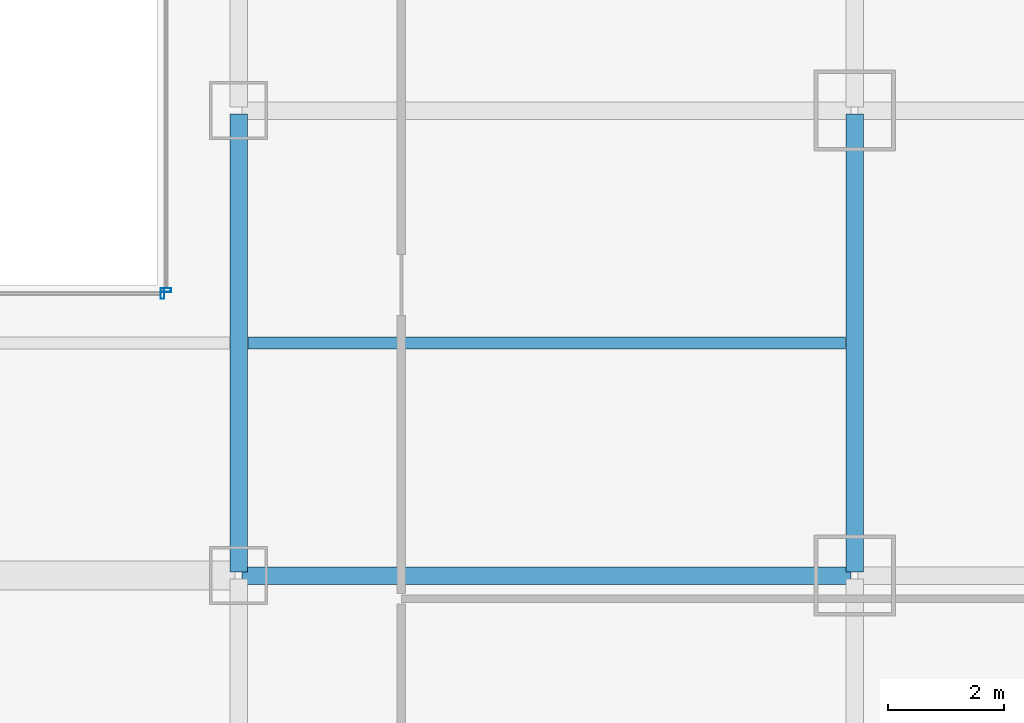
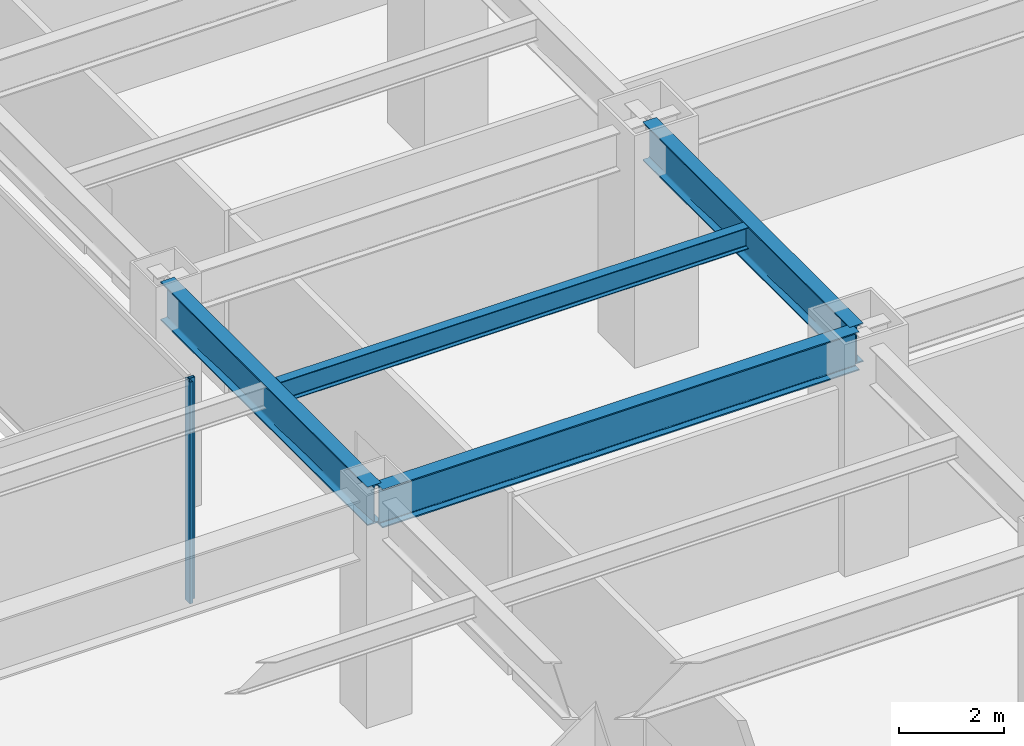
# One storey, part 19 of 53: 4 beams, 2 members, 2 elements without a shape of their own.
"""IFC4 building model written with IfcOpenShell, lengths in metres."""

from ifc_helpers import new_model, si_unit, direction, frame, origin, origin_2d, place, context, subcontext, project, spatial, hollow_rectangle, i_section, extrude, material, material_profile, profile_set, type_object, element, aggregate, save


model = new_model("IFC4")

# Units and contexts
model_context = context("Model", 3, precision=1e-05, world=origin(), true_north=direction((0.0, 1.0)))
body_context = subcontext(model_context, "Body", "Model", "MODEL_VIEW")
ifc_project = project(units=[si_unit("LENGTHUNIT", "METRE"), si_unit("AREAUNIT", "SQUARE_METRE"), si_unit("VOLUMEUNIT", "CUBIC_METRE"), si_unit("PLANEANGLEUNIT", "RADIAN"), si_unit("MASSUNIT", "GRAM", prefix="KILO")], contexts=[model_context])

# Site, building, storey
site_placement = place(None, origin())
site = spatial("IfcSite", under=ifc_project, at=site_placement, CompositionType="ELEMENT")
building_placement = place(site_placement, origin())
building = spatial("IfcBuilding", under=site, at=building_placement, Name="Saevonmaru Cultural Tower", CompositionType="ELEMENT")
storey_placement = place(building_placement, frame((0.0, 0.0, 22.199951171875)))
storey = spatial("IfcBuildingStorey", under=building, at=storey_placement, Name="L04", CompositionType="ELEMENT", Elevation=22.199951171875)

# Beams
ifc_material_1 = material(Name="Steel SM420", Category="steel")
ifc_material_profile_1 = material_profile(ifc_material_1, i_section(OverallWidth=0.300048828125, OverallDepth=0.89990234375, WebThickness=0.01611328125, FlangeThickness=0.028076171875, FilletRadius=0.028076171875, at=origin_2d()), Name="H-900x300x16x28")
ifc_profile_set_1 = profile_set([ifc_material_profile_1], Name="Steel SM420")
beam_type_1 = type_object("IfcBeamType", Name="BM-G-H900", PredefinedType="BEAM", material=ifc_profile_set_1)
for number, where, z_axis, x_axis, name in (
    (1, (37.199951171875, 16.06005859375, 4.699951171875), (0.0, 1.0, 0.0), (-1.0, 0.0, 0.0), "L04 Podium Girder NS3-3"),
    (2, (47.800048828125, 16.06005859375, 4.699951171875), (0.0, 1.0, 0.0), (-1.0, 0.0, 0.0), "L04 Podium Girder NS4-3"),
):
    element("IfcBeam", number, at=place(storey_placement, frame(where, z_axis=z_axis, x_axis=x_axis)), inside=storey, type_object=beam_type_1, Name=name, PredefinedType="BEAM", context=body_context, shape_type="SweptSolid", body=[
        extrude(i_section(OverallWidth=0.300048828125, OverallDepth=0.89990234375, WebThickness=0.01611328125, FlangeThickness=0.028076171875, FilletRadius=0.028076171875, at=origin_2d()), origin(), (0.0, 0.0, 1.0), 7.8798828125),
    ])
beam_1_placement = place(storey_placement, frame((37.260009765625, 16.0, 4.699951171875), z_axis=(1.0, 0.0, 0.0), x_axis=(0.0, 1.0, 0.0)))
element("IfcBeam", 3, at=beam_1_placement, inside=storey, type_object=beam_type_1, Name="L04 Gallery Girder E-2", PredefinedType="BEAM", context=body_context, shape_type="SweptSolid", body=[
    extrude(i_section(OverallWidth=0.300048828125, OverallDepth=0.89990234375, WebThickness=0.01611328125, FlangeThickness=0.028076171875, FilletRadius=0.028076171875, at=origin_2d()), origin(), (0.0, 0.0, 1.0), 10.47998046875),
])
ifc_material_2 = material(Name="Steel SM355", Category="steel")
ifc_material_profile_2 = material_profile(ifc_material_2, i_section(OverallWidth=0.199951171875, OverallDepth=0.5, WebThickness=0.010009765625, FlangeThickness=0.01611328125, FilletRadius=0.02001953125, at=origin_2d()), Name="H-500x200x10x16")
ifc_profile_set_2 = profile_set([ifc_material_profile_2], Name="Steel SM355")
beam_type_2 = type_object("IfcBeamType", Name="BM-J-H500", PredefinedType="JOIST", material=ifc_profile_set_2)
beam_2_placement = place(storey_placement, frame((37.35791015625, 20.0, 4.900146484375), z_axis=(1.0, 0.0, 0.0), x_axis=(0.0, 1.0, 0.0)))
element("IfcBeam", 4, at=beam_2_placement, inside=storey, type_object=beam_type_2, Name="L04 Secondary Floor Joist JE-2", PredefinedType="JOIST", context=body_context, shape_type="SweptSolid", body=[
    extrude(i_section(OverallWidth=0.199951171875, OverallDepth=0.5, WebThickness=0.010009765625, FlangeThickness=0.01611328125, FilletRadius=0.02001953125, at=origin_2d()), origin(), (0.0, 0.0, 1.0), 10.2841796875),
])

# Curtain wall, member
ifc_material_3 = material(Name="Satin Bronze Anodised Aluminium", Category="aluminium")
curtain_wall_type = type_object("IfcCurtainWallType", Name="CW-ATR-GLZ", PredefinedType="NOTDEFINED", material=ifc_material_3)
curtain_wall_1_placement = place(storey_placement, origin())
curtain_wall_1 = element("IfcCurtainWall", 5, at=curtain_wall_1_placement, inside=storey, type_object=curtain_wall_type, Name="L04 Vertical Atrium Glazed Smoke Screen 1", PredefinedType="NOTDEFINED")
ifc_material_profile_3 = material_profile(ifc_material_3, hollow_rectangle(XDim=0.06494140625, YDim=0.179931640625, WallThickness=0.00390625, at=origin_2d()), Name="ALU-MULL-180x65x4")
ifc_profile_set_3 = profile_set([ifc_material_profile_3], Name="Satin Bronze Anodised Aluminium")
member_type = type_object("IfcMemberType", Name="ML-CW-INT-180x65", PredefinedType="MULLION", material=ifc_profile_set_3)
member_1_placement = place(storey_placement, frame((35.889892578125, 20.85009765625, 0.0), z_axis=(0.0, 0.0, 1.0), x_axis=(1.0, 0.0, 0.0)))
member_1 = element("IfcMember", 6, at=member_1_placement, type_object=member_type, Name="CW-ATR-L04-1 mullion 2", PredefinedType="MULLION", context=body_context, shape_type="SweptSolid", body=[
    extrude(hollow_rectangle(XDim=0.06494140625, YDim=0.179931640625, WallThickness=0.00390625, at=origin_2d()), origin(), (0.0, 0.0, 1.0), 5.150146484375),
])
aggregate(curtain_wall_1, [member_1])

curtain_wall_2_placement = place(storey_placement, origin())
curtain_wall_2 = element("IfcCurtainWall", 7, at=curtain_wall_2_placement, inside=storey, type_object=curtain_wall_type, Name="L04 Vertical Atrium Glazed Smoke Screen 2", PredefinedType="NOTDEFINED")
member_2_placement = place(storey_placement, frame((35.949951171875, 20.909912109375, 0.0), z_axis=(0.0, 0.0, 1.0), x_axis=(0.0, 1.0, 0.0)))
member_2 = element("IfcMember", 8, at=member_2_placement, type_object=member_type, Name="CW-ATR-L04-2 mullion 1", PredefinedType="MULLION", context=body_context, shape_type="SweptSolid", body=[
    extrude(hollow_rectangle(XDim=0.06494140625, YDim=0.179931640625, WallThickness=0.00390625, at=origin_2d()), origin(), (0.0, 0.0, 1.0), 5.150146484375),
])
aggregate(curtain_wall_2, [member_2])

save(model, "model.ifc")
